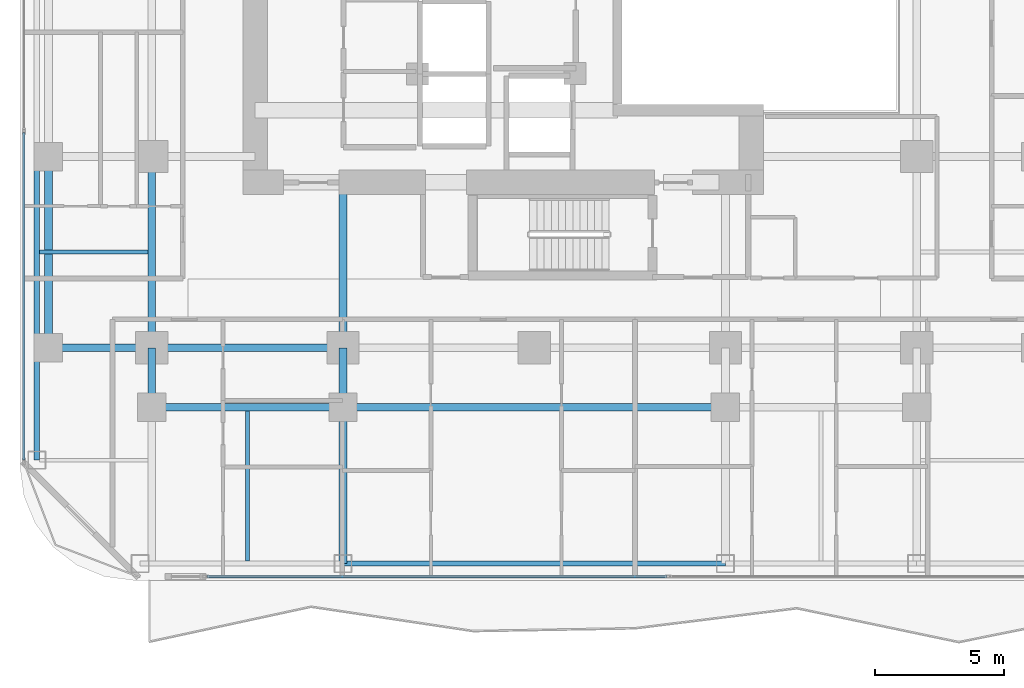
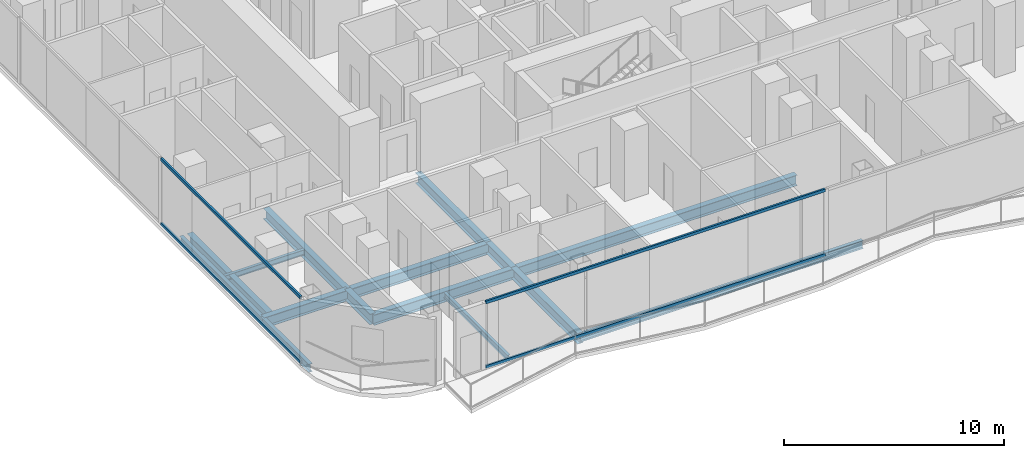
# One storey, part 3 of 29: 15 beams, 4 members, 2 elements without a shape of their own.
"""IFC4 building model written with IfcOpenShell, lengths in metres."""

from ifc_helpers import new_model, si_unit, direction, frame, origin, origin_2d, place, context, subcontext, project, spatial, hollow_rectangle, i_section, extrude, material, layer, layer_set, material_profile, profile_set, type_object, element, aggregate, save


model = new_model("IFC4")

# Units and contexts
model_context = context("Model", 3, precision=1e-05, world=origin(), true_north=direction((0.0, 1.0)))
body_context = subcontext(model_context, "Body", "Model", "MODEL_VIEW")
ifc_project = project(units=[si_unit("LENGTHUNIT", "METRE"), si_unit("AREAUNIT", "SQUARE_METRE"), si_unit("VOLUMEUNIT", "CUBIC_METRE"), si_unit("PLANEANGLEUNIT", "RADIAN"), si_unit("MASSUNIT", "GRAM", prefix="KILO")], contexts=[model_context])

# Site, building, storey
site_placement = place(None, origin())
site = spatial("IfcSite", under=ifc_project, at=site_placement, CompositionType="ELEMENT")
building_placement = place(site_placement, origin())
building = spatial("IfcBuilding", under=site, at=building_placement, Name="Khorvyn Point Tower", CompositionType="ELEMENT")
storey_placement = place(building_placement, frame((0.0, 0.0, 140.699951171875)))
storey = spatial("IfcBuildingStorey", under=building, at=storey_placement, Name="L35", CompositionType="ELEMENT", Elevation=140.699951171875)

# Curtain wall, members
ifc_material_1 = material(Name="Anodised aluminium 6063-T6 and laminated Low-E glass", Category="aluminium")
ifc_layer = layer(ifc_material_1, 0.18994140625)
ifc_layer_set = layer_set([ifc_layer], Name="Stick-Built Acoustic Curtain Wall CW-SYS-03")
curtain_wall_type = type_object("IfcCurtainWallType", Name="Stick-Built Acoustic Curtain Wall CW-SYS-03", PredefinedType="NOTDEFINED", material=ifc_layer_set)
curtain_wall_1_placement = place(storey_placement, origin())
curtain_wall_1 = element("IfcCurtainWall", 1, at=curtain_wall_1_placement, inside=storey, type_object=curtain_wall_type, Name="Curtain Wall", PredefinedType="NOTDEFINED")
ifc_material_2 = material(Name="Anodised aluminium 6063-T6", Category="aluminium")
ifc_material_profile_1 = material_profile(ifc_material_2, hollow_rectangle(XDim=0.10009765625, YDim=0.159912109375, WallThickness=0.00439453125, at=origin_2d()))
ifc_profile_set_1 = profile_set([ifc_material_profile_1], Name="Anodised aluminium 6063-T6 ALU-TRN-100x160")
member_type = type_object("IfcMemberType", Name="Anodised Aluminium 6063-T6 Transom ALU-TRN-100x160", PredefinedType="USERDEFINED", material=ifc_profile_set_1)
member_1_placement = place(storey_placement, frame((5.140380859375, -23.64990234375, 0.050048828125), z_axis=(-1.0, 0.0, 0.0), x_axis=(0.0, -1.0, 0.0)))
member_1 = element("IfcMember", 2, at=member_1_placement, type_object=member_type, Name="Transom", ObjectType="TRANSOM", PredefinedType="USERDEFINED", context=body_context, shape_type="SweptSolid", body=[
    extrude(hollow_rectangle(XDim=0.10009765625, YDim=0.159912109375, WallThickness=0.00439453125, at=origin_2d()), origin(), (0.0, 0.0, 1.0), 17.809326171875),
])
member_2_placement = place(storey_placement, frame((5.140380859375, -23.64990234375, 3.630126953125), z_axis=(-1.0, 0.0, 0.0), x_axis=(0.0, -1.0, 0.0)))
member_2 = element("IfcMember", 3, at=member_2_placement, type_object=member_type, Name="Transom", ObjectType="TRANSOM", PredefinedType="USERDEFINED", context=body_context, shape_type="SweptSolid", body=[
    extrude(hollow_rectangle(XDim=0.10009765625, YDim=0.159912109375, WallThickness=0.00439453125, at=origin_2d()), origin(), (0.0, 0.0, 1.0), 17.809326171875),
])
aggregate(curtain_wall_1, [member_1, member_2])

curtain_wall_2_placement = place(storey_placement, origin())
curtain_wall_2 = element("IfcCurtainWall", 4, at=curtain_wall_2_placement, inside=storey, type_object=curtain_wall_type, Name="Curtain Wall", PredefinedType="NOTDEFINED")
member_3_placement = place(storey_placement, frame((-19.75, -19.14990234375, 0.050048828125), z_axis=(0.0, 1.0, 0.0), x_axis=(-1.0, 0.0, 0.0)))
member_3 = element("IfcMember", 5, at=member_3_placement, type_object=member_type, Name="Transom", ObjectType="TRANSOM", PredefinedType="USERDEFINED", context=body_context, shape_type="SweptSolid", body=[
    extrude(hollow_rectangle(XDim=0.10009765625, YDim=0.159912109375, WallThickness=0.00439453125, at=origin_2d()), origin(), (0.0, 0.0, 1.0), 12.683349609375),
])
member_4_placement = place(storey_placement, frame((-19.75, -19.14990234375, 3.630126953125), z_axis=(0.0, 1.0, 0.0), x_axis=(-1.0, 0.0, 0.0)))
member_4 = element("IfcMember", 6, at=member_4_placement, type_object=member_type, Name="Transom", ObjectType="TRANSOM", PredefinedType="USERDEFINED", context=body_context, shape_type="SweptSolid", body=[
    extrude(hollow_rectangle(XDim=0.10009765625, YDim=0.159912109375, WallThickness=0.00439453125, at=origin_2d()), origin(), (0.0, 0.0, 1.0), 12.683349609375),
])
aggregate(curtain_wall_2, [member_3, member_4])

# Beams
ifc_material_3 = material(Name="Steel S355", Category="steel")
ifc_material_profile_2 = material_profile(ifc_material_3, i_section(OverallWidth=0.300048828125, OverallDepth=0.587890625, WebThickness=0.011962890625, FlangeThickness=0.02001953125, at=origin_2d()))
ifc_profile_set_2 = profile_set([ifc_material_profile_2], Name="Steel S355 H588x300x12x20")
beam_type_1 = type_object("IfcBeamType", Name="Steel S355 Beam H588x300x12x20", PredefinedType="BEAM", material=ifc_profile_set_2)
beam_1_placement = place(storey_placement, frame((-19.25, -14.800048828125, -0.513916015625), z_axis=(1.0, 0.0, 0.0), x_axis=(0.0, 1.0, 0.0)))
element("IfcBeam", 7, at=beam_1_placement, inside=storey, type_object=beam_type_1, Name="Beam", PredefinedType="BEAM", context=body_context, shape_type="SweptSolid", body=[
    extrude(i_section(OverallWidth=0.300048828125, OverallDepth=0.587890625, WebThickness=0.011962890625, FlangeThickness=0.02001953125, at=origin_2d()), origin(), (0.0, 0.0, 1.0), 4.449951171875),
])
for number, where, z_axis, x_axis, name in (
    (8, (-14.800048828125, -14.800048828125, -0.513916015625), (1.0, 0.0, 0.0), (0.0, 1.0, 0.0), "Beam"),
    (9, (-14.800048828125, -17.10009765625, -0.513916015625), (1.0, 0.0, 0.0), (0.0, 1.0, 0.0), "Beam"),
):
    element("IfcBeam", number, at=place(storey_placement, frame(where, z_axis=z_axis, x_axis=x_axis)), inside=storey, type_object=beam_type_1, Name=name, PredefinedType="BEAM", context=body_context, shape_type="SweptSolid", body=[
        extrude(i_section(OverallWidth=0.300048828125, OverallDepth=0.587890625, WebThickness=0.011962890625, FlangeThickness=0.02001953125, at=origin_2d()), origin(), (0.0, 0.0, 1.0), 7.400146484375),
    ])
beam_2_placement = place(storey_placement, frame((-7.39990234375, -17.10009765625, -0.513916015625), z_axis=(1.0, 0.0, 0.0), x_axis=(0.0, 1.0, 0.0)))
element("IfcBeam", 10, at=beam_2_placement, inside=storey, type_object=beam_type_1, Name="Beam", PredefinedType="BEAM", context=body_context, shape_type="SweptSolid", body=[
    extrude(i_section(OverallWidth=0.300048828125, OverallDepth=0.587890625, WebThickness=0.011962890625, FlangeThickness=0.02001953125, at=origin_2d()), origin(), (0.0, 0.0, 1.0), 14.7998046875),
])
beam_3_placement = place(storey_placement, frame((-14.800048828125, -17.10009765625, -0.513916015625), z_axis=(0.0, 1.0, 0.0), x_axis=(-1.0, 0.0, 0.0)))
element("IfcBeam", 11, at=beam_3_placement, inside=storey, type_object=beam_type_1, Name="Beam", PredefinedType="BEAM", context=body_context, shape_type="SweptSolid", body=[
    extrude(i_section(OverallWidth=0.300048828125, OverallDepth=0.587890625, WebThickness=0.011962890625, FlangeThickness=0.02001953125, at=origin_2d()), origin(), (0.0, 0.0, 1.0), 2.300048828125),
])
beam_4_placement = place(storey_placement, frame((-14.800048828125, -14.800048828125, -0.513916015625), z_axis=(0.0, 1.0, 0.0), x_axis=(-1.0, 0.0, 0.0)))
element("IfcBeam", 12, at=beam_4_placement, inside=storey, type_object=beam_type_1, Name="Beam", PredefinedType="BEAM", context=body_context, shape_type="SweptSolid", body=[
    extrude(i_section(OverallWidth=0.300048828125, OverallDepth=0.587890625, WebThickness=0.011962890625, FlangeThickness=0.02001953125, at=origin_2d()), origin(), (0.0, 0.0, 1.0), 7.400146484375),
])
beam_5_placement = place(storey_placement, frame((-7.39990234375, -23.14990234375, -0.513916015625), z_axis=(0.0, 1.0, 0.0), x_axis=(-1.0, 0.0, 0.0)))
element("IfcBeam", 13, at=beam_5_placement, inside=storey, type_object=beam_type_1, Name="Beam", PredefinedType="BEAM", context=body_context, shape_type="SweptSolid", body=[
    extrude(i_section(OverallWidth=0.300048828125, OverallDepth=0.587890625, WebThickness=0.011962890625, FlangeThickness=0.02001953125, at=origin_2d()), origin(), (0.0, 0.0, 1.0), 6.0498046875),
])
beam_6_placement = place(storey_placement, frame((-7.39990234375, -17.10009765625, -0.513916015625), z_axis=(0.0, 1.0, 0.0), x_axis=(-1.0, 0.0, 0.0)))
element("IfcBeam", 14, at=beam_6_placement, inside=storey, type_object=beam_type_1, Name="Beam", PredefinedType="BEAM", context=body_context, shape_type="SweptSolid", body=[
    extrude(i_section(OverallWidth=0.300048828125, OverallDepth=0.587890625, WebThickness=0.011962890625, FlangeThickness=0.02001953125, at=origin_2d()), origin(), (0.0, 0.0, 1.0), 2.300048828125),
])
beam_7_placement = place(storey_placement, frame((-7.39990234375, -14.800048828125, -0.513916015625), z_axis=(0.0, 1.0, 0.0), x_axis=(-1.0, 0.0, 0.0)))
element("IfcBeam", 15, at=beam_7_placement, inside=storey, type_object=beam_type_1, Name="Beam", PredefinedType="BEAM", context=body_context, shape_type="SweptSolid", body=[
    extrude(i_section(OverallWidth=0.300048828125, OverallDepth=0.587890625, WebThickness=0.011962890625, FlangeThickness=0.02001953125, at=origin_2d()), origin(), (0.0, 0.0, 1.0), 6.400146484375),
])
beam_8_placement = place(storey_placement, frame((-18.800048828125, -14.800048828125, -0.513916015625), z_axis=(0.0, 1.0, 0.0), x_axis=(-1.0, 0.0, 0.0)))
element("IfcBeam", 16, at=beam_8_placement, inside=storey, type_object=beam_type_1, Name="Beam", PredefinedType="BEAM", context=body_context, shape_type="SweptSolid", body=[
    extrude(i_section(OverallWidth=0.300048828125, OverallDepth=0.587890625, WebThickness=0.011962890625, FlangeThickness=0.02001953125, at=origin_2d()), origin(), (0.0, 0.0, 1.0), 7.400146484375),
])
ifc_material_profile_3 = material_profile(ifc_material_3, i_section(OverallWidth=0.14990234375, OverallDepth=0.300048828125, WebThickness=0.006591796875, FlangeThickness=0.009033203125, at=origin_2d()))
ifc_profile_set_3 = profile_set([ifc_material_profile_3], Name="Steel S355 H300x150x6.5x9")
beam_type_2 = type_object("IfcBeamType", Name="Steel S355 Joist H300x150x6.5x9", PredefinedType="JOIST", material=ifc_profile_set_3)
beam_9_placement = place(storey_placement, frame((-19.14990234375, -11.10009765625, -0.369873046875), z_axis=(1.0, 0.0, 0.0), x_axis=(0.0, 1.0, 0.0)))
element("IfcBeam", 17, at=beam_9_placement, inside=storey, type_object=beam_type_2, Name="Beam", PredefinedType="JOIST", context=body_context, shape_type="SweptSolid", body=[
    extrude(i_section(OverallWidth=0.14990234375, OverallDepth=0.300048828125, WebThickness=0.006591796875, FlangeThickness=0.009033203125, at=origin_2d()), origin(), (0.0, 0.0, 1.0), 4.199951171875),
])
beam_10_placement = place(storey_placement, frame((-11.10009765625, -23.050048828125, -0.369873046875), z_axis=(0.0, 1.0, 0.0), x_axis=(-1.0, 0.0, 0.0)))
element("IfcBeam", 18, at=beam_10_placement, inside=storey, type_object=beam_type_2, Name="Beam", PredefinedType="JOIST", context=body_context, shape_type="SweptSolid", body=[
    extrude(i_section(OverallWidth=0.14990234375, OverallDepth=0.300048828125, WebThickness=0.006591796875, FlangeThickness=0.009033203125, at=origin_2d()), origin(), (0.0, 0.0, 1.0), 5.800048828125),
])
ifc_material_profile_4 = material_profile(ifc_material_3, i_section(OverallWidth=0.199951171875, OverallDepth=0.449951171875, WebThickness=0.009033203125, FlangeThickness=0.013916015625, at=origin_2d()))
ifc_profile_set_4 = profile_set([ifc_material_profile_4], Name="Steel S355 H450x200x9x14")
beam_type_3 = type_object("IfcBeamType", Name="Steel S355 Spandrel H450x200x9x14", PredefinedType="SPANDREL", material=ifc_profile_set_4)
beam_11_placement = place(storey_placement, frame((-7.39990234375, -23.14990234375, -0.445068359375), z_axis=(1.0, 0.0, 0.0), x_axis=(0.0, 1.0, 0.0)))
element("IfcBeam", 19, at=beam_11_placement, inside=storey, type_object=beam_type_3, Name="Beam", PredefinedType="SPANDREL", context=body_context, shape_type="SweptSolid", body=[
    extrude(i_section(OverallWidth=0.199951171875, OverallDepth=0.449951171875, WebThickness=0.009033203125, FlangeThickness=0.013916015625, at=origin_2d()), origin(), (0.0, 0.0, 1.0), 14.7998046875),
])
beam_12_placement = place(storey_placement, frame((-19.25, -19.14990234375, -0.445068359375), z_axis=(0.0, 1.0, 0.0), x_axis=(-1.0, 0.0, 0.0)))
element("IfcBeam", 20, at=beam_12_placement, inside=storey, type_object=beam_type_3, Name="Beam", PredefinedType="SPANDREL", context=body_context, shape_type="SweptSolid", body=[
    extrude(i_section(OverallWidth=0.199951171875, OverallDepth=0.449951171875, WebThickness=0.009033203125, FlangeThickness=0.013916015625, at=origin_2d()), origin(), (0.0, 0.0, 1.0), 4.349853515625),
])
beam_13_placement = place(storey_placement, frame((-19.25, -14.800048828125, -0.445068359375), z_axis=(0.0, 1.0, 0.0), x_axis=(-1.0, 0.0, 0.0)))
element("IfcBeam", 21, at=beam_13_placement, inside=storey, type_object=beam_type_3, Name="Beam", PredefinedType="SPANDREL", context=body_context, shape_type="SweptSolid", body=[
    extrude(i_section(OverallWidth=0.199951171875, OverallDepth=0.449951171875, WebThickness=0.009033203125, FlangeThickness=0.013916015625, at=origin_2d()), origin(), (0.0, 0.0, 1.0), 7.400146484375),
])

save(model, "model.ifc")
